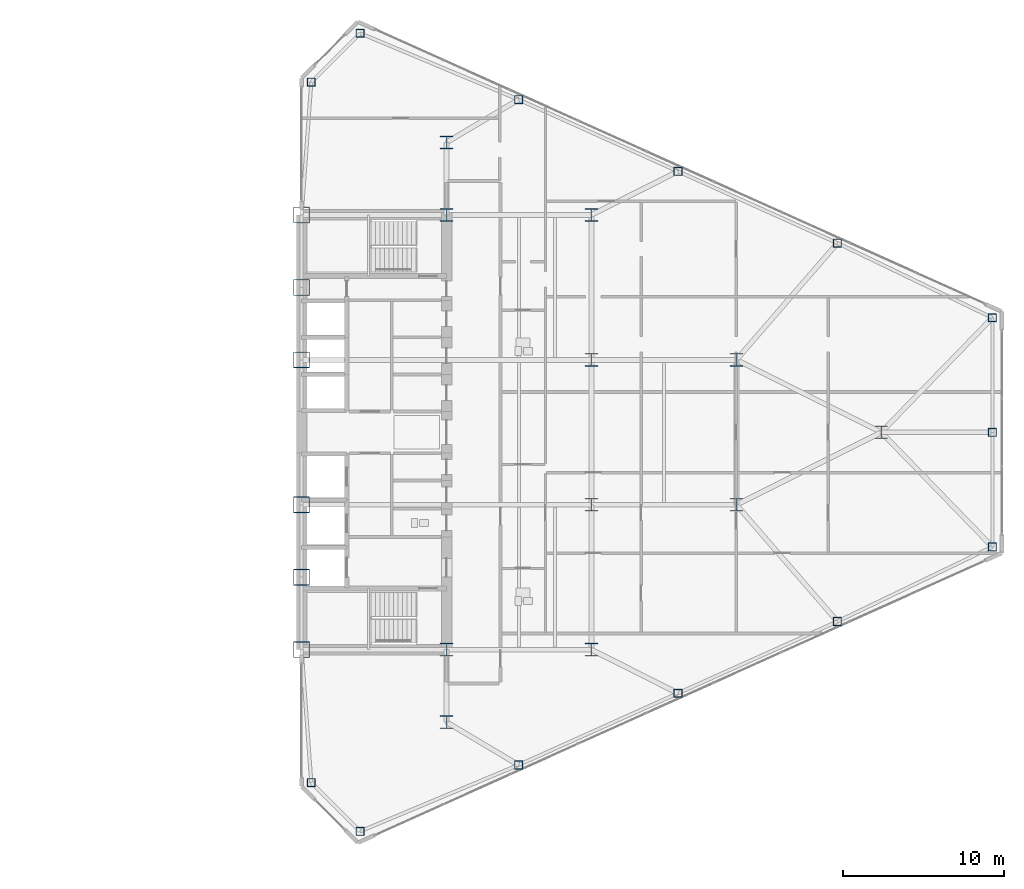
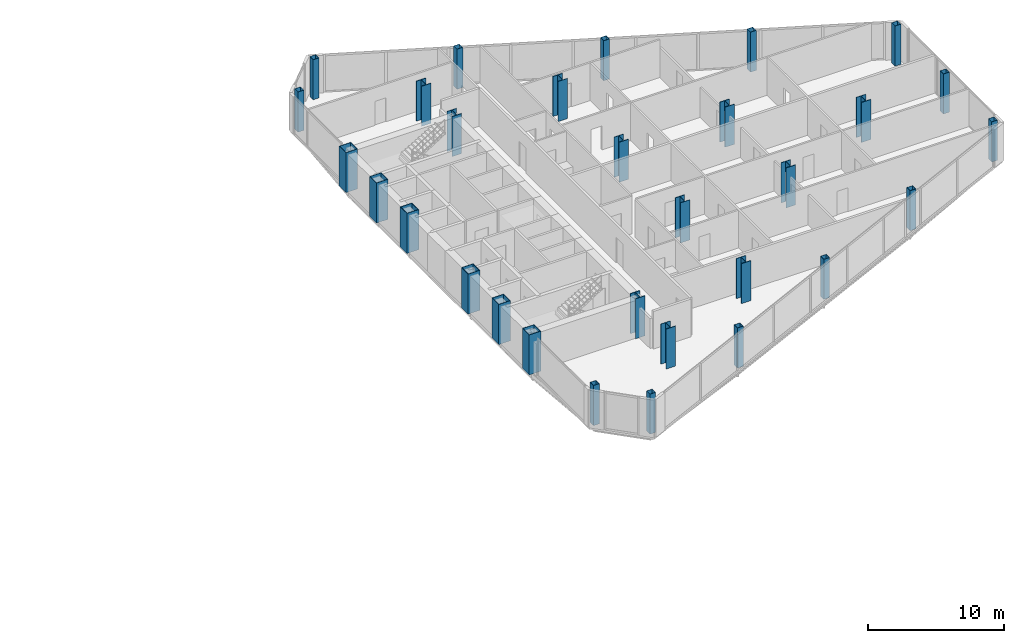
# One storey, part 2 of 27: 30 columns.
"""IFC4 building model written with IfcOpenShell, lengths in metres."""

from ifc_helpers import new_model, si_unit, direction, frame, origin, origin_2d, place, context, subcontext, project, spatial, hollow_rectangle, i_section, extrude, source, transform, mapped, material, material_profile, profile_set, type_object, type_shapes, element, save


model = new_model("IFC4")

# Units and contexts
model_context = context("Model", 3, precision=1e-05, world=origin(), true_north=direction((0.0, 1.0)))
body_context = subcontext(model_context, "Body", "Model", "MODEL_VIEW")
ifc_project = project(units=[si_unit("LENGTHUNIT", "METRE"), si_unit("AREAUNIT", "SQUARE_METRE"), si_unit("VOLUMEUNIT", "CUBIC_METRE"), si_unit("PLANEANGLEUNIT", "RADIAN"), si_unit("MASSUNIT", "GRAM", prefix="KILO")], contexts=[model_context])

# Site, building, storey
site_placement = place(None, origin())
site = spatial("IfcSite", under=ifc_project, at=site_placement, CompositionType="ELEMENT")
building_placement = place(site_placement, origin())
building = spatial("IfcBuilding", under=site, at=building_placement, Name="Seokmaru Belvedere", CompositionType="ELEMENT")
storey_placement = place(building_placement, frame((0.0, 0.0, 99.60009765625)))
storey = spatial("IfcBuildingStorey", under=building, at=storey_placement, Name="L26", CompositionType="ELEMENT", Elevation=99.60009765625)

# Columns
ifc_material_1 = material(Name="Steel SM355 (355 MPa)", Category="steel")
ifc_material_profile_1 = material_profile(ifc_material_1, hollow_rectangle(XDim=0.5, YDim=0.5, WallThickness=0.02001953125, at=origin_2d()), Name="HSS-500x500x20")
ifc_profile_set_1 = profile_set([ifc_material_profile_1], Name="Steel SM355 (355 MPa)")
column_type_1 = type_object("IfcColumnType", Name="Perimeter Facet Column HSS-500", PredefinedType="COLUMN", material=ifc_profile_set_1)
shared_shape_1 = source(origin(), body_context, "Body", "SweptSolid", [
    extrude(hollow_rectangle(XDim=0.5, YDim=0.5, WallThickness=0.02001953125, at=origin_2d()), origin(), (0.0, 0.0, 1.0), 3.599853515625),
])
type_shapes(column_type_1, [shared_shape_1])
for number, where, z_axis, x_axis, name in (
    (1, (31.13134765625, -24.782958984375, 0.0), (0.0, 0.0, 1.0), (1.0, 0.0, 0.0), "L26 Column EF1"),
    (2, (70.39990234375, -7.112060546875, 0.0), (0.0, 0.0, 1.0), (1.0, 0.0, 0.0), "L26 Column EF2"),
    (3, (70.39990234375, 7.112060546875, 0.0), (0.0, 0.0, 1.0), (1.0, 0.0, 0.0), "L26 Column EF3"),
    (4, (31.13134765625, 24.782958984375, 0.0), (0.0, 0.0, 1.0), (1.0, 0.0, 0.0), "L26 Column EF4"),
    (5, (28.10009765625, 21.75146484375, 0.0), (0.0, 0.0, 1.0), (1.0, 0.0, 0.0), "L26 Column EF5"),
    (6, (28.10009765625, -21.75146484375, 0.0), (0.0, 0.0, 1.0), (1.0, 0.0, 0.0), "L26 Column EF6"),
    (7, (40.97265625, -20.661376953125, 0.0), (0.0, 0.0, 1.0), (1.0, 0.0, 0.0), "L26 Column EFLK_S1"),
    (8, (50.875, -16.205322265625, 0.0), (0.0, 0.0, 1.0), (1.0, 0.0, 0.0), "L26 Column EFLK_S2"),
    (9, (60.777587890625, -11.749267578125, 0.0), (0.0, 0.0, 1.0), (1.0, 0.0, 0.0), "L26 Column EFLK_S3"),
    (10, (40.97265625, 20.661376953125, 0.0), (0.0, 0.0, 1.0), (1.0, 0.0, 0.0), "L26 Column EFLK_N1"),
    (11, (50.875, 16.205322265625, 0.0), (0.0, 0.0, 1.0), (1.0, 0.0, 0.0), "L26 Column EFLK_N2"),
    (12, (60.777587890625, 11.749267578125, 0.0), (0.0, 0.0, 1.0), (1.0, 0.0, 0.0), "L26 Column EFLK_N3"),
    (13, (70.39990234375, 0.0, 0.0), (0.0, 0.0, 1.0), (1.0, 0.0, 0.0), "L26 Column EF_APXM"),
):
    element("IfcColumn", number, at=place(storey_placement, frame(where, z_axis=z_axis, x_axis=x_axis)), inside=storey, type_object=column_type_1, Name=name, PredefinedType="COLUMN", context=body_context, shape_type="MappedRepresentation", body=[
        mapped(shared_shape_1, transform((0.0, 0.0, 0.0), scale=1.0)),
    ])
ifc_material_2 = material(Name="Steel HSA650 (650 MPa)", Category="steel")
ifc_material_profile_2 = material_profile(ifc_material_2, hollow_rectangle(XDim=1.0, YDim=1.0, WallThickness=0.0419921875, at=origin_2d()), Name="BOX-1000x1000x42")
ifc_profile_set_2 = profile_set([ifc_material_profile_2], Name="Steel HSA650 (650 MPa)")
column_type_2 = type_object("IfcColumnType", Name="Portal Spine Column BOX-1000", PredefinedType="COLUMN", material=ifc_profile_set_2)
shared_shape_2 = source(origin(), body_context, "Body", "SweptSolid", [
    extrude(hollow_rectangle(XDim=1.0, YDim=1.0, WallThickness=0.0419921875, at=origin_2d()), origin(), (0.0, 0.0, 1.0), 3.599853515625),
])
type_shapes(column_type_2, [shared_shape_2])
for number, where, z_axis, x_axis, name in (
    (14, (27.5, -13.5, 0.0), (0.0, 0.0, 1.0), (1.0, 0.0, 0.0), "L26 Column ES1"),
    (15, (27.5, -9.0, 0.0), (0.0, 0.0, 1.0), (1.0, 0.0, 0.0), "L26 Column ES2"),
    (16, (27.5, -4.5, 0.0), (0.0, 0.0, 1.0), (1.0, 0.0, 0.0), "L26 Column ES3"),
    (17, (27.5, 4.5, 0.0), (0.0, 0.0, 1.0), (1.0, 0.0, 0.0), "L26 Column ES4"),
    (18, (27.5, 9.0, 0.0), (0.0, 0.0, 1.0), (1.0, 0.0, 0.0), "L26 Column ES5"),
    (19, (27.5, 13.5, 0.0), (0.0, 0.0, 1.0), (1.0, 0.0, 0.0), "L26 Column ES6"),
):
    element("IfcColumn", number, at=place(storey_placement, frame(where, z_axis=z_axis, x_axis=x_axis)), inside=storey, type_object=column_type_2, Name=name, PredefinedType="COLUMN", context=body_context, shape_type="MappedRepresentation", body=[
        mapped(shared_shape_2, transform((0.0, 0.0, 0.0), scale=1.0)),
    ])
ifc_material_profile_3 = material_profile(ifc_material_1, i_section(OverallWidth=0.800048828125, OverallDepth=0.800048828125, WebThickness=0.031982421875, FlangeThickness=0.050048828125, at=origin_2d()), Name="H-800x800x32x50")
ifc_profile_set_3 = profile_set([ifc_material_profile_3], Name="Steel SM355 (355 MPa)")
column_type_3 = type_object("IfcColumnType", Name="Lower-Mid Interior Column H-800", PredefinedType="COLUMN", material=ifc_profile_set_3)
shared_shape_3 = source(origin(), body_context, "Body", "SweptSolid", [
    extrude(i_section(OverallWidth=0.800048828125, OverallDepth=0.800048828125, WebThickness=0.031982421875, FlangeThickness=0.050048828125, at=origin_2d()), origin(), (0.0, 0.0, 1.0), 3.599853515625),
])
type_shapes(column_type_3, [shared_shape_3])
for number, where, z_axis, x_axis, name in (
    (20, (36.5, -18.0, 0.0), (0.0, 0.0, 1.0), (1.0, 0.0, 0.0), "L26 Column EC1"),
    (21, (36.5, -13.5, 0.0), (0.0, 0.0, 1.0), (1.0, 0.0, 0.0), "L26 Column EC2"),
    (22, (36.5, 13.5, 0.0), (0.0, 0.0, 1.0), (1.0, 0.0, 0.0), "L26 Column EC3"),
    (23, (36.5, 18.0, 0.0), (0.0, 0.0, 1.0), (1.0, 0.0, 0.0), "L26 Column EC4"),
    (24, (45.5, -13.5, 0.0), (0.0, 0.0, 1.0), (1.0, 0.0, 0.0), "L26 Column EG5_1"),
    (25, (45.5, -4.5, 0.0), (0.0, 0.0, 1.0), (1.0, 0.0, 0.0), "L26 Column EG5_2"),
    (26, (45.5, 4.5, 0.0), (0.0, 0.0, 1.0), (1.0, 0.0, 0.0), "L26 Column EG5_3"),
    (27, (45.5, 13.5, 0.0), (0.0, 0.0, 1.0), (1.0, 0.0, 0.0), "L26 Column EG5_4"),
    (28, (54.5, -4.5, 0.0), (0.0, 0.0, 1.0), (1.0, 0.0, 0.0), "L26 Column EG4P_1"),
    (29, (54.5, 4.5, 0.0), (0.0, 0.0, 1.0), (1.0, 0.0, 0.0), "L26 Column EG4P_2"),
    (30, (63.5, 0.0, 0.0), (0.0, 0.0, 1.0), (1.0, 0.0, 0.0), "L26 Column EG3P_1"),
):
    element("IfcColumn", number, at=place(storey_placement, frame(where, z_axis=z_axis, x_axis=x_axis)), inside=storey, type_object=column_type_3, Name=name, PredefinedType="COLUMN", context=body_context, shape_type="MappedRepresentation", body=[
        mapped(shared_shape_3, transform((0.0, 0.0, 0.0), scale=1.0)),
    ])

save(model, "model.ifc")
